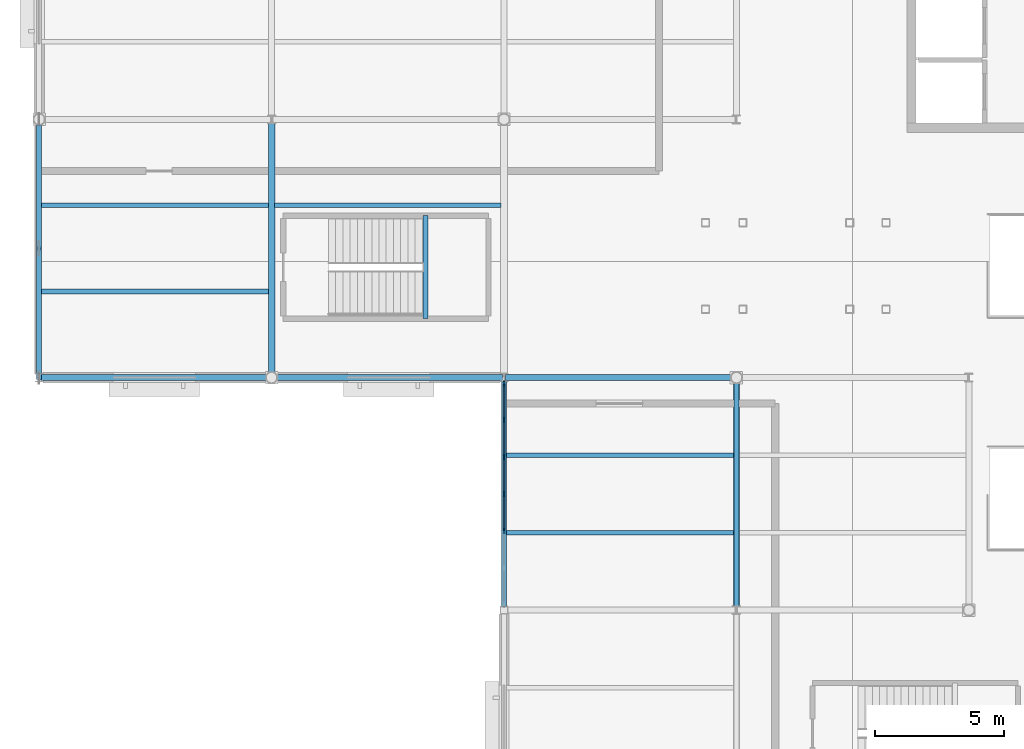
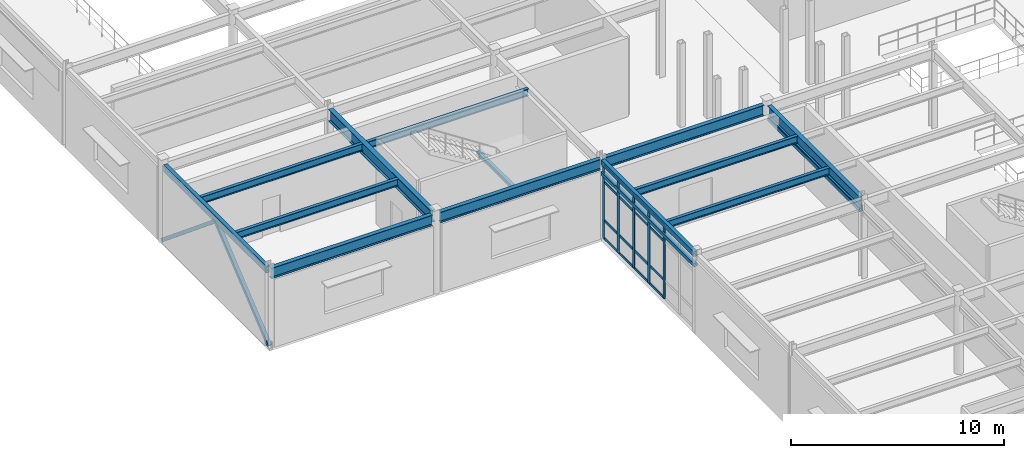
# One storey, part 32 of 86: 23 members, 15 beams, 1 element without a shape of its own.
"""IFC4 building model written with IfcOpenShell, lengths in metres."""

from ifc_helpers import new_model, si_unit, direction, frame, origin, origin_2d, place, context, subcontext, project, spatial, rectangle, hollow_rectangle, i_section, extrude, material, material_profile, profile_set, type_object, element, aggregate, save


model = new_model("IFC4")

# Units and contexts
model_context = context("Model", 3, precision=1e-05, world=origin(), true_north=direction((0.0, 1.0)))
body_context = subcontext(model_context, "Body", "Model", "MODEL_VIEW")
ifc_project = project(units=[si_unit("LENGTHUNIT", "METRE"), si_unit("AREAUNIT", "SQUARE_METRE"), si_unit("VOLUMEUNIT", "CUBIC_METRE"), si_unit("PLANEANGLEUNIT", "RADIAN"), si_unit("MASSUNIT", "GRAM", prefix="KILO")], contexts=[model_context])

# Site, building, storey
site_placement = place(None, origin())
site = spatial("IfcSite", under=ifc_project, at=site_placement, CompositionType="ELEMENT")
building_placement = place(site_placement, origin())
building = spatial("IfcBuilding", under=site, at=building_placement, Name="Glasvene Arena", CompositionType="ELEMENT")
storey_placement = place(building_placement, frame((0.0, 0.0, 5.39990234375)))
storey = spatial("IfcBuildingStorey", under=building, at=storey_placement, Name="L01", CompositionType="ELEMENT", Elevation=5.39990234375)

# Beams
ifc_material_1 = material(Name="Steel S355J2", Category="steel")
ifc_material_profile_1 = material_profile(ifc_material_1, i_section(OverallWidth=0.228271484375, OverallDepth=0.607666015625, WebThickness=0.010986328125, FlangeThickness=0.017333984375, FilletRadius=0.0126953125, at=origin_2d()), Name="UKB 610x229x113")
ifc_profile_set_1 = profile_set([ifc_material_profile_1], Name="Steel S355J2")
beam_type_1 = type_object("IfcBeamType", Name="BM-GIRD-610", PredefinedType="BEAM", material=ifc_profile_set_1)
for number, where, z_axis, x_axis, name in (
    (1, (0.050048828125, 54.0, 4.21630859375), (1.0, 0.0, 0.0), (0.0, 1.0, 0.0), "Primary X girder L01-0554"),
    (2, (9.223388671875, 54.0, 4.21630859375), (1.0, 0.0, 0.0), (0.0, 1.0, 0.0), "Primary X girder L01-0555"),
    (3, (18.050048828125, 54.0, 4.21630859375), (1.0, 0.0, 0.0), (0.0, 1.0, 0.0), "Primary X girder L01-0556"),
):
    element("IfcBeam", number, at=place(storey_placement, frame(where, z_axis=z_axis, x_axis=x_axis)), inside=storey, type_object=beam_type_1, Name=name, PredefinedType="BEAM", context=body_context, shape_type="SweptSolid", body=[
        extrude(i_section(OverallWidth=0.228271484375, OverallDepth=0.607666015625, WebThickness=0.010986328125, FlangeThickness=0.017333984375, FilletRadius=0.0126953125, at=origin_2d()), origin(), (0.0, 0.0, 1.0), 8.7265625),
    ])
beam_1_placement = place(storey_placement, frame((27.0, 45.1552734375, 4.21630859375), z_axis=(0.0, 1.0, 0.0), x_axis=(-1.0, 0.0, 0.0)))
element("IfcBeam", 4, at=beam_1_placement, inside=storey, type_object=beam_type_1, Name="Primary Y girder L01-0631", PredefinedType="BEAM", context=body_context, shape_type="SweptSolid", body=[
    extrude(i_section(OverallWidth=0.228271484375, OverallDepth=0.607666015625, WebThickness=0.010986328125, FlangeThickness=0.017333984375, FilletRadius=0.0126953125, at=origin_2d()), origin(), (0.0, 0.0, 1.0), 8.621337890625),
])
ifc_material_profile_2 = material_profile(ifc_material_1, i_section(OverallWidth=0.253662109375, OverallDepth=0.68359375, WebThickness=0.012451171875, FlangeThickness=0.01904296875, FilletRadius=0.01513671875, at=origin_2d()), Name="UKB 686x254x140")
ifc_profile_set_2 = profile_set([ifc_material_profile_2], Name="Steel S355J2")
beam_type_2 = type_object("IfcBeamType", Name="BM-GIRD-686", PredefinedType="BEAM", material=ifc_profile_set_2)
beam_2_placement = place(storey_placement, frame((9.0, 54.223388671875, 4.178466796875), z_axis=(0.0, 1.0, 0.0), x_axis=(-1.0, 0.0, 0.0)))
element("IfcBeam", 5, at=beam_2_placement, inside=storey, type_object=beam_type_2, Name="Primary Y girder L01-0612", PredefinedType="BEAM", context=body_context, shape_type="SweptSolid", body=[
    extrude(i_section(OverallWidth=0.253662109375, OverallDepth=0.68359375, WebThickness=0.012451171875, FlangeThickness=0.01904296875, FilletRadius=0.01513671875, at=origin_2d()), origin(), (0.0, 0.0, 1.0), 9.621337890625),
])
ifc_material_profile_3 = material_profile(ifc_material_1, i_section(OverallWidth=0.177978515625, OverallDepth=0.406494140625, WebThickness=0.0078125, FlangeThickness=0.0126953125, FilletRadius=0.01025390625, at=origin_2d()), Name="UKB 406x178x60")
ifc_profile_set_3 = profile_set([ifc_material_profile_3], Name="Steel S355J2")
beam_type_3 = type_object("IfcBeamType", Name="BM-JOIST-406", PredefinedType="JOIST", material=ifc_profile_set_3)
for number, where, z_axis, x_axis, name in (
    (6, (0.095947265625, 57.333251953125, 4.31689453125), (1.0, 0.0, 0.0), (0.0, 1.0, 0.0), "Composite floor joist L01-0683"),
    (7, (0.095947265625, 60.666748046875, 4.31689453125), (1.0, 0.0, 0.0), (0.0, 1.0, 0.0), "Composite floor joist L01-0684"),
):
    element("IfcBeam", number, at=place(storey_placement, frame(where, z_axis=z_axis, x_axis=x_axis)), inside=storey, type_object=beam_type_3, Name=name, PredefinedType="JOIST", context=body_context, shape_type="SweptSolid", body=[
        extrude(i_section(OverallWidth=0.177978515625, OverallDepth=0.406494140625, WebThickness=0.0078125, FlangeThickness=0.0126953125, FilletRadius=0.01025390625, at=origin_2d()), origin(), (0.0, 0.0, 1.0), 8.78125),
    ])
beam_3_placement = place(storey_placement, frame((9.122802734375, 60.666748046875, 4.31689453125), z_axis=(1.0, 0.0, 0.0), x_axis=(0.0, 1.0, 0.0)))
element("IfcBeam", 8, at=beam_3_placement, inside=storey, type_object=beam_type_3, Name="Composite floor joist L01-0693", PredefinedType="JOIST", context=body_context, shape_type="SweptSolid", body=[
    extrude(i_section(OverallWidth=0.177978515625, OverallDepth=0.406494140625, WebThickness=0.0078125, FlangeThickness=0.0126953125, FilletRadius=0.01025390625, at=origin_2d()), origin(), (0.0, 0.0, 1.0), 8.75439453125),
])
for number, where, z_axis, x_axis, name in (
    (9, (18.095947265625, 48.0, 4.31689453125), (1.0, 0.0, 0.0), (0.0, 1.0, 0.0), "Composite floor joist L01-0707"),
    (10, (18.095947265625, 51.0, 4.31689453125), (1.0, 0.0, 0.0), (0.0, 1.0, 0.0), "Composite floor joist L01-0708"),
):
    element("IfcBeam", number, at=place(storey_placement, frame(where, z_axis=z_axis, x_axis=x_axis)), inside=storey, type_object=beam_type_3, Name=name, PredefinedType="JOIST", context=body_context, shape_type="SweptSolid", body=[
        extrude(i_section(OverallWidth=0.177978515625, OverallDepth=0.406494140625, WebThickness=0.0078125, FlangeThickness=0.0126953125, FilletRadius=0.01025390625, at=origin_2d()), origin(), (0.0, 0.0, 1.0), 8.7939453125),
    ])
ifc_material_profile_4 = material_profile(ifc_material_1, hollow_rectangle(XDim=0.199951171875, YDim=0.199951171875, WallThickness=0.010009765625, at=origin_2d()), Name="SHS 200x200x10.0")
ifc_profile_set_4 = profile_set([ifc_material_profile_4], Name="Steel S355J2")
beam_type_4 = type_object("IfcBeamType", Name="BM-LINTEL-200", PredefinedType="LINTEL", material=ifc_profile_set_4)
beam_4_placement = place(storey_placement, frame((18.0, 45.14599609375, 3.739990234375), z_axis=(0.0, 1.0, 0.0), x_axis=(-1.0, 0.0, 0.0)))
element("IfcBeam", 11, at=beam_4_placement, inside=storey, type_object=beam_type_4, Name="Passage portal lintel L01-2-5", PredefinedType="LINTEL", context=body_context, shape_type="SweptSolid", body=[
    extrude(hollow_rectangle(XDim=0.199951171875, YDim=0.199951171875, WallThickness=0.010009765625, at=origin_2d()), origin(), (0.0, 0.0, 1.0), 8.69775390625),
])
beam_5_placement = place(storey_placement, frame((27.0, 45.15625, 3.739990234375), z_axis=(0.0, 1.0, 0.0), x_axis=(-1.0, 0.0, 0.0)))
element("IfcBeam", 12, at=beam_5_placement, inside=storey, type_object=beam_type_4, Name="Passage portal lintel L01-3-5", PredefinedType="LINTEL", context=body_context, shape_type="SweptSolid", body=[
    extrude(hollow_rectangle(XDim=0.199951171875, YDim=0.199951171875, WallThickness=0.010009765625, at=origin_2d()), origin(), (0.0, 0.0, 1.0), 8.619140625),
])
beam_6_placement = place(storey_placement, frame((14.9599609375, 56.280029296875, 2.080078125), z_axis=(0.0, 1.0, 0.0), x_axis=(-1.0, 0.0, 0.0)))
element("IfcBeam", 13, at=beam_6_placement, inside=storey, type_object=beam_type_4, Name="Stair half-landing support beam ST-13-L01", PredefinedType="LINTEL", context=body_context, shape_type="SweptSolid", body=[
    extrude(hollow_rectangle(XDim=0.199951171875, YDim=0.199951171875, WallThickness=0.010009765625, at=origin_2d()), origin(), (0.0, 0.0, 1.0), 3.989990234375),
])
ifc_material_profile_5 = material_profile(ifc_material_1, hollow_rectangle(XDim=0.199951171875, YDim=0.300048828125, WallThickness=0.012451171875, at=origin_2d()), Name="RHS 300x200x12.5")
ifc_profile_set_5 = profile_set([ifc_material_profile_5], Name="Steel S355J2")
beam_type_5 = type_object("IfcBeamType", Name="BM-SPAND-300", PredefinedType="SPANDREL", material=ifc_profile_set_5)
beam_7_placement = place(storey_placement, frame((18.0, 45.14501953125, 4.3701171875), z_axis=(0.0, 1.0, 0.0), x_axis=(-1.0, 0.0, 0.0)))
element("IfcBeam", 14, at=beam_7_placement, inside=storey, type_object=beam_type_5, Name="Primary Y girder L01-0621", PredefinedType="SPANDREL", context=body_context, shape_type="SweptSolid", body=[
    extrude(hollow_rectangle(XDim=0.199951171875, YDim=0.300048828125, WallThickness=0.012451171875, at=origin_2d()), origin(), (0.0, 0.0, 1.0), 8.69970703125),
])
ifc_material_profile_6 = material_profile(ifc_material_1, hollow_rectangle(XDim=0.199951171875, YDim=0.39990234375, WallThickness=0.01611328125, at=origin_2d()), Name="RHS 400x200x16.0")
ifc_profile_set_6 = profile_set([ifc_material_profile_6], Name="Steel S355J2")
beam_type_6 = type_object("IfcBeamType", Name="BM-SPAND-400", PredefinedType="SPANDREL", material=ifc_profile_set_6)
beam_8_placement = place(storey_placement, frame((0.0, 54.1552734375, 4.320068359375), z_axis=(0.0, 1.0, 0.0), x_axis=(-1.0, 0.0, 0.0)))
element("IfcBeam", 15, at=beam_8_placement, inside=storey, type_object=beam_type_6, Name="Primary Y girder L01-0602", PredefinedType="SPANDREL", context=body_context, shape_type="SweptSolid", body=[
    extrude(hollow_rectangle(XDim=0.199951171875, YDim=0.39990234375, WallThickness=0.01611328125, at=origin_2d()), origin(), (0.0, 0.0, 1.0), 9.621337890625),
])

# Curtain wall, members
ifc_material_2 = material(Name="Low-emissivity laminated double glazing", Category="glass")
curtain_wall_type = type_object("IfcCurtainWallType", Name="CW-FAC-L01-861x416", PredefinedType="USERDEFINED", material=ifc_material_2)
curtain_wall_placement = place(storey_placement, frame((18.0, 45.19189453125, 0.0)))
curtain_wall = element("IfcCurtainWall", 16, at=curtain_wall_placement, inside=storey, type_object=curtain_wall_type, Name="Unitised curtain wall CW-F-L01-180-180-495-70", ObjectType="CURTAIN WALL", PredefinedType="USERDEFINED")
ifc_material_3 = material(Name="Anodised architectural aluminium", Category="aluminium")
ifc_material_profile_7 = material_profile(ifc_material_3, rectangle(XDim=0.050048828125, YDim=0.199951171875, at=origin_2d()), Name="ALU MULLION 50x200")
ifc_profile_set_7 = profile_set([ifc_material_profile_7], Name="Anodised architectural aluminium")
member_type_1 = type_object("IfcMemberType", Name="CW-MUL-180", PredefinedType="MULLION", material=ifc_profile_set_7)
member_1_placement = place(storey_placement, frame((18.0, 48.060546875, 0.06005859375), z_axis=(0.0, 0.0, 1.0), x_axis=(-1.0, 0.0, 0.0)))
member_1 = element("IfcMember", 17, at=member_1_placement, type_object=member_type_1, Name="CW-018 mullion 3", PredefinedType="MULLION", context=body_context, shape_type="SweptSolid", body=[
    extrude(rectangle(XDim=0.050048828125, YDim=0.199951171875, at=origin_2d()), origin(), (0.0, 0.0, 1.0), 4.155029296875),
])
member_2_placement = place(storey_placement, frame((18.0, 49.494873046875, 0.06005859375), z_axis=(0.0, 0.0, 1.0), x_axis=(-1.0, 0.0, 0.0)))
member_2 = element("IfcMember", 18, at=member_2_placement, type_object=member_type_1, Name="CW-018 mullion 4", PredefinedType="MULLION", context=body_context, shape_type="SweptSolid", body=[
    extrude(rectangle(XDim=0.050048828125, YDim=0.199951171875, at=origin_2d()), origin(), (0.0, 0.0, 1.0), 4.155029296875),
])
member_3_placement = place(storey_placement, frame((18.0, 50.92919921875, 0.06005859375), z_axis=(0.0, 0.0, 1.0), x_axis=(-1.0, 0.0, 0.0)))
member_3 = element("IfcMember", 19, at=member_3_placement, type_object=member_type_1, Name="CW-018 mullion 5", PredefinedType="MULLION", context=body_context, shape_type="SweptSolid", body=[
    extrude(rectangle(XDim=0.050048828125, YDim=0.199951171875, at=origin_2d()), origin(), (0.0, 0.0, 1.0), 4.155029296875),
])
member_4_placement = place(storey_placement, frame((18.0, 52.363525390625, 0.06005859375), z_axis=(0.0, 0.0, 1.0), x_axis=(-1.0, 0.0, 0.0)))
member_4 = element("IfcMember", 20, at=member_4_placement, type_object=member_type_1, Name="CW-018 mullion 6", PredefinedType="MULLION", context=body_context, shape_type="SweptSolid", body=[
    extrude(rectangle(XDim=0.050048828125, YDim=0.199951171875, at=origin_2d()), origin(), (0.0, 0.0, 1.0), 4.155029296875),
])
member_5_placement = place(storey_placement, frame((18.0, 53.772705078125, 0.06005859375), z_axis=(0.0, 0.0, 1.0), x_axis=(-1.0, 0.0, 0.0)))
member_5 = element("IfcMember", 21, at=member_5_placement, type_object=member_type_1, Name="CW-018 mullion 7", PredefinedType="MULLION", context=body_context, shape_type="SweptSolid", body=[
    extrude(rectangle(XDim=0.050048828125, YDim=0.199951171875, at=origin_2d()), origin(), (0.0, 0.0, 1.0), 4.155029296875),
])
ifc_material_profile_8 = material_profile(ifc_material_3, rectangle(XDim=0.050048828125, YDim=0.14990234375, at=origin_2d()), Name="ALU TRANSOM 50x150")
ifc_profile_set_8 = profile_set([ifc_material_profile_8], Name="Anodised architectural aluminium")
member_type_2 = type_object("IfcMemberType", Name="CW-TRN-150", PredefinedType="USERDEFINED", material=ifc_profile_set_8)
member_6_placement = place(storey_placement, frame((18.0, 48.08544921875, 0.085205078125), z_axis=(0.0, 1.0, 0.0), x_axis=(-1.0, 0.0, 0.0)))
member_6 = element("IfcMember", 22, at=member_6_placement, type_object=member_type_2, Name="CW-018 transom 3.1", ObjectType="TRANSOM", PredefinedType="USERDEFINED", context=body_context, shape_type="SweptSolid", body=[
    extrude(rectangle(XDim=0.050048828125, YDim=0.14990234375, at=origin_2d()), origin(), (0.0, 0.0, 1.0), 1.384521484375),
])
member_7_placement = place(storey_placement, frame((18.0, 48.08544921875, 1.10009765625), z_axis=(0.0, 1.0, 0.0), x_axis=(-1.0, 0.0, 0.0)))
member_7 = element("IfcMember", 23, at=member_7_placement, type_object=member_type_2, Name="CW-018 transom 3.2", ObjectType="TRANSOM", PredefinedType="USERDEFINED", context=body_context, shape_type="SweptSolid", body=[
    extrude(rectangle(XDim=0.050048828125, YDim=0.14990234375, at=origin_2d()), origin(), (0.0, 0.0, 1.0), 1.384521484375),
])
member_8_placement = place(storey_placement, frame((18.0, 48.08544921875, 3.315185546875), z_axis=(0.0, 1.0, 0.0), x_axis=(-1.0, 0.0, 0.0)))
member_8 = element("IfcMember", 24, at=member_8_placement, type_object=member_type_2, Name="CW-018 transom 3.3", ObjectType="TRANSOM", PredefinedType="USERDEFINED", context=body_context, shape_type="SweptSolid", body=[
    extrude(rectangle(XDim=0.050048828125, YDim=0.14990234375, at=origin_2d()), origin(), (0.0, 0.0, 1.0), 1.384521484375),
])
member_9_placement = place(storey_placement, frame((18.0, 48.08544921875, 4.190185546875), z_axis=(0.0, 1.0, 0.0), x_axis=(-1.0, 0.0, 0.0)))
member_9 = element("IfcMember", 25, at=member_9_placement, type_object=member_type_2, Name="CW-018 transom 3.4", ObjectType="TRANSOM", PredefinedType="USERDEFINED", context=body_context, shape_type="SweptSolid", body=[
    extrude(rectangle(XDim=0.050048828125, YDim=0.14990234375, at=origin_2d()), origin(), (0.0, 0.0, 1.0), 1.384521484375),
])
member_10_placement = place(storey_placement, frame((18.0, 49.519775390625, 0.085205078125), z_axis=(0.0, 1.0, 0.0), x_axis=(-1.0, 0.0, 0.0)))
member_10 = element("IfcMember", 26, at=member_10_placement, type_object=member_type_2, Name="CW-018 transom 4.1", ObjectType="TRANSOM", PredefinedType="USERDEFINED", context=body_context, shape_type="SweptSolid", body=[
    extrude(rectangle(XDim=0.050048828125, YDim=0.14990234375, at=origin_2d()), origin(), (0.0, 0.0, 1.0), 1.38427734375),
])
member_11_placement = place(storey_placement, frame((18.0, 49.519775390625, 1.10009765625), z_axis=(0.0, 1.0, 0.0), x_axis=(-1.0, 0.0, 0.0)))
member_11 = element("IfcMember", 27, at=member_11_placement, type_object=member_type_2, Name="CW-018 transom 4.2", ObjectType="TRANSOM", PredefinedType="USERDEFINED", context=body_context, shape_type="SweptSolid", body=[
    extrude(rectangle(XDim=0.050048828125, YDim=0.14990234375, at=origin_2d()), origin(), (0.0, 0.0, 1.0), 1.38427734375),
])
member_12_placement = place(storey_placement, frame((18.0, 49.519775390625, 3.315185546875), z_axis=(0.0, 1.0, 0.0), x_axis=(-1.0, 0.0, 0.0)))
member_12 = element("IfcMember", 28, at=member_12_placement, type_object=member_type_2, Name="CW-018 transom 4.3", ObjectType="TRANSOM", PredefinedType="USERDEFINED", context=body_context, shape_type="SweptSolid", body=[
    extrude(rectangle(XDim=0.050048828125, YDim=0.14990234375, at=origin_2d()), origin(), (0.0, 0.0, 1.0), 1.38427734375),
])
member_13_placement = place(storey_placement, frame((18.0, 49.519775390625, 4.190185546875), z_axis=(0.0, 1.0, 0.0), x_axis=(-1.0, 0.0, 0.0)))
member_13 = element("IfcMember", 29, at=member_13_placement, type_object=member_type_2, Name="CW-018 transom 4.4", ObjectType="TRANSOM", PredefinedType="USERDEFINED", context=body_context, shape_type="SweptSolid", body=[
    extrude(rectangle(XDim=0.050048828125, YDim=0.14990234375, at=origin_2d()), origin(), (0.0, 0.0, 1.0), 1.38427734375),
])
member_14_placement = place(storey_placement, frame((18.0, 50.9541015625, 0.085205078125), z_axis=(0.0, 1.0, 0.0), x_axis=(-1.0, 0.0, 0.0)))
member_14 = element("IfcMember", 30, at=member_14_placement, type_object=member_type_2, Name="CW-018 transom 5.1", ObjectType="TRANSOM", PredefinedType="USERDEFINED", context=body_context, shape_type="SweptSolid", body=[
    extrude(rectangle(XDim=0.050048828125, YDim=0.14990234375, at=origin_2d()), origin(), (0.0, 0.0, 1.0), 1.38427734375),
])
member_15_placement = place(storey_placement, frame((18.0, 50.9541015625, 1.10009765625), z_axis=(0.0, 1.0, 0.0), x_axis=(-1.0, 0.0, 0.0)))
member_15 = element("IfcMember", 31, at=member_15_placement, type_object=member_type_2, Name="CW-018 transom 5.2", ObjectType="TRANSOM", PredefinedType="USERDEFINED", context=body_context, shape_type="SweptSolid", body=[
    extrude(rectangle(XDim=0.050048828125, YDim=0.14990234375, at=origin_2d()), origin(), (0.0, 0.0, 1.0), 1.38427734375),
])
member_16_placement = place(storey_placement, frame((18.0, 50.9541015625, 3.315185546875), z_axis=(0.0, 1.0, 0.0), x_axis=(-1.0, 0.0, 0.0)))
member_16 = element("IfcMember", 32, at=member_16_placement, type_object=member_type_2, Name="CW-018 transom 5.3", ObjectType="TRANSOM", PredefinedType="USERDEFINED", context=body_context, shape_type="SweptSolid", body=[
    extrude(rectangle(XDim=0.050048828125, YDim=0.14990234375, at=origin_2d()), origin(), (0.0, 0.0, 1.0), 1.38427734375),
])
member_17_placement = place(storey_placement, frame((18.0, 50.9541015625, 4.190185546875), z_axis=(0.0, 1.0, 0.0), x_axis=(-1.0, 0.0, 0.0)))
member_17 = element("IfcMember", 33, at=member_17_placement, type_object=member_type_2, Name="CW-018 transom 5.4", ObjectType="TRANSOM", PredefinedType="USERDEFINED", context=body_context, shape_type="SweptSolid", body=[
    extrude(rectangle(XDim=0.050048828125, YDim=0.14990234375, at=origin_2d()), origin(), (0.0, 0.0, 1.0), 1.38427734375),
])
member_18_placement = place(storey_placement, frame((18.0, 52.388427734375, 0.085205078125), z_axis=(0.0, 1.0, 0.0), x_axis=(-1.0, 0.0, 0.0)))
member_18 = element("IfcMember", 34, at=member_18_placement, type_object=member_type_2, Name="CW-018 transom 6.1", ObjectType="TRANSOM", PredefinedType="USERDEFINED", context=body_context, shape_type="SweptSolid", body=[
    extrude(rectangle(XDim=0.050048828125, YDim=0.14990234375, at=origin_2d()), origin(), (0.0, 0.0, 1.0), 1.359375),
])
member_19_placement = place(storey_placement, frame((18.0, 52.388427734375, 1.10009765625), z_axis=(0.0, 1.0, 0.0), x_axis=(-1.0, 0.0, 0.0)))
member_19 = element("IfcMember", 35, at=member_19_placement, type_object=member_type_2, Name="CW-018 transom 6.2", ObjectType="TRANSOM", PredefinedType="USERDEFINED", context=body_context, shape_type="SweptSolid", body=[
    extrude(rectangle(XDim=0.050048828125, YDim=0.14990234375, at=origin_2d()), origin(), (0.0, 0.0, 1.0), 1.359375),
])
member_20_placement = place(storey_placement, frame((18.0, 52.388427734375, 3.315185546875), z_axis=(0.0, 1.0, 0.0), x_axis=(-1.0, 0.0, 0.0)))
member_20 = element("IfcMember", 36, at=member_20_placement, type_object=member_type_2, Name="CW-018 transom 6.3", ObjectType="TRANSOM", PredefinedType="USERDEFINED", context=body_context, shape_type="SweptSolid", body=[
    extrude(rectangle(XDim=0.050048828125, YDim=0.14990234375, at=origin_2d()), origin(), (0.0, 0.0, 1.0), 1.359375),
])
member_21_placement = place(storey_placement, frame((18.0, 52.388427734375, 4.190185546875), z_axis=(0.0, 1.0, 0.0), x_axis=(-1.0, 0.0, 0.0)))
member_21 = element("IfcMember", 37, at=member_21_placement, type_object=member_type_2, Name="CW-018 transom 6.4", ObjectType="TRANSOM", PredefinedType="USERDEFINED", context=body_context, shape_type="SweptSolid", body=[
    extrude(rectangle(XDim=0.050048828125, YDim=0.14990234375, at=origin_2d()), origin(), (0.0, 0.0, 1.0), 1.359375),
])
aggregate(curtain_wall, [member_1, member_2, member_3, member_4, member_5, member_6, member_7, member_8, member_9, member_10, member_11, member_12, member_13, member_14, member_15, member_16, member_17, member_18, member_19, member_20, member_21])

# Members
ifc_material_profile_9 = material_profile(ifc_material_1, hollow_rectangle(XDim=0.199951171875, YDim=0.199951171875, WallThickness=0.010009765625, at=origin_2d()), Name="SHS 200x200x10.0")
ifc_profile_set_9 = profile_set([ifc_material_profile_9], Name="Steel S355J2")
member_type_3 = type_object("IfcMemberType", Name="MB-BRACE-SHS200", PredefinedType="BRACE", material=ifc_profile_set_9)
for number, where, z_axis, x_axis, name in (
    (38, (0.0, 54.0, 0.050048828125), (0.0, 0.77174310918, 0.635934409694), (-1.0, 0.0, 0.0), "Perimeter lateral chevron brace L01-011-A"),
    (39, (0.0, 64.0, 0.050048828125), (0.0, -0.77174310918, 0.635934409694), (1.0, 0.0, 0.0), "Perimeter lateral chevron brace L01-012-B"),
):
    element("IfcMember", number, at=place(storey_placement, frame(where, z_axis=z_axis, x_axis=x_axis)), inside=storey, type_object=member_type_3, Name=name, PredefinedType="BRACE", context=body_context, shape_type="SweptSolid", body=[
        extrude(hollow_rectangle(XDim=0.199951171875, YDim=0.199951171875, WallThickness=0.010009765625, at=origin_2d()), origin(), (0.0, 0.0, 1.0), 6.478759765625),
    ])

save(model, "model.ifc")
